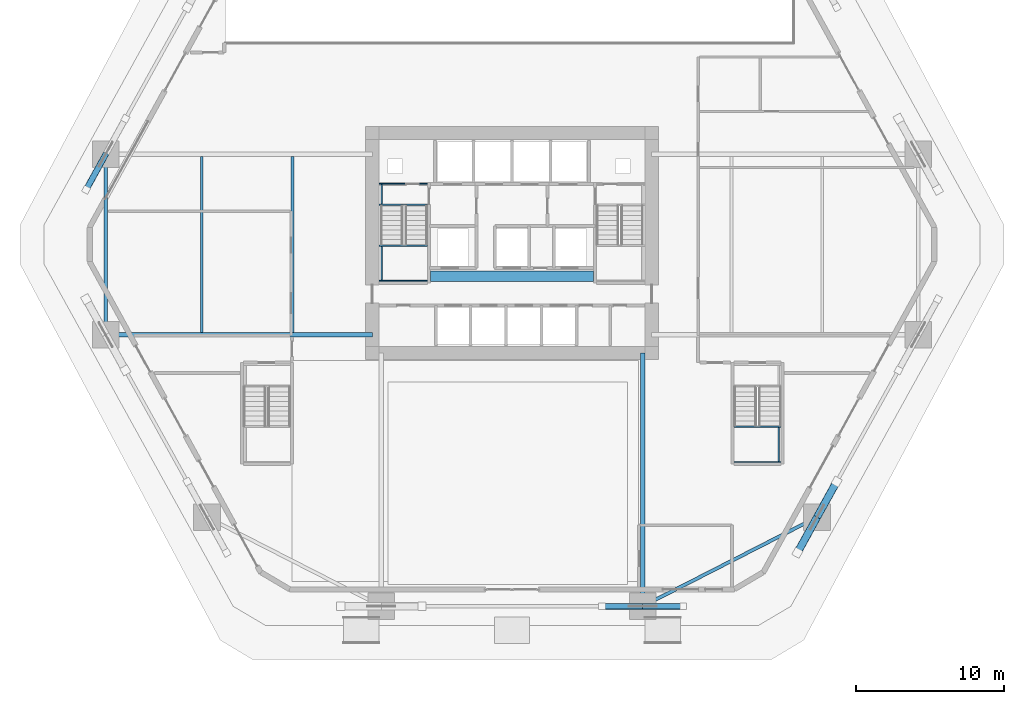
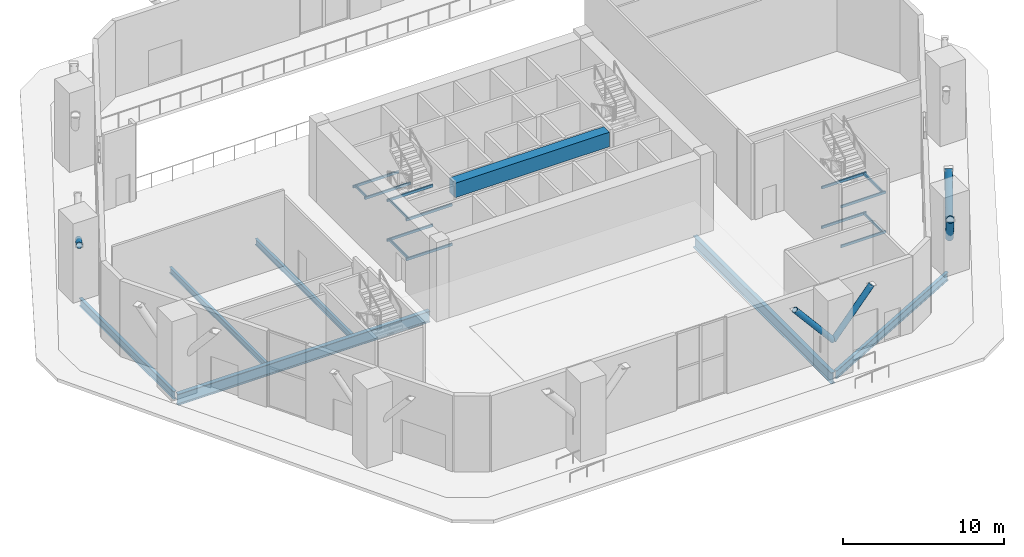
# One storey, part 6 of 22: 22 beams, 5 members.
"""IFC4 building model written with IfcOpenShell, lengths in metres."""

from ifc_helpers import new_model, si_unit, direction, frame, origin, origin_2d, place, context, subcontext, project, spatial, rectangle, hollow_rectangle, hollow_circle, i_section, extrude, material, material_profile, profile_set, type_object, element, save


model = new_model("IFC4")

# Units and contexts
model_context = context("Model", 3, precision=1e-05, world=origin(), true_north=direction((0.0, 1.0)))
body_context = subcontext(model_context, "Body", "Model", "MODEL_VIEW")
ifc_project = project(units=[si_unit("LENGTHUNIT", "METRE"), si_unit("AREAUNIT", "SQUARE_METRE"), si_unit("VOLUMEUNIT", "CUBIC_METRE"), si_unit("PLANEANGLEUNIT", "RADIAN"), si_unit("MASSUNIT", "GRAM", prefix="KILO")], contexts=[model_context])

# Site, building, storey
site_placement = place(None, origin())
site = spatial("IfcSite", under=ifc_project, at=site_placement, CompositionType="ELEMENT")
building_placement = place(site_placement, origin())
building = spatial("IfcBuilding", under=site, at=building_placement, Name="Cinnabar Lancet Tower", CompositionType="ELEMENT")
storey_placement = place(building_placement, origin())
storey = spatial("IfcBuildingStorey", under=building, at=storey_placement, Name="L00", CompositionType="ELEMENT", Elevation=0.0)

# Beams
ifc_material_1 = material(Name="Concrete C70/85", Category="concrete")
ifc_material_profile_1 = material_profile(ifc_material_1, rectangle(XDim=0.699951171875, YDim=1.10009765625, at=origin_2d()), Name="RC-CB 700x1100")
ifc_profile_set_1 = profile_set([ifc_material_profile_1], Name="Concrete C70/85")
beam_type_1 = type_object("IfcBeamType", Name="STR-BM-CB-1100", PredefinedType="BEAM", material=ifc_profile_set_1)
beam_1_placement = place(storey_placement, frame((26.8798828125, 23.64990234375, 5.199951171875), z_axis=(1.0, 0.0, 0.0), x_axis=(0.0, 1.0, 0.0)))
element("IfcBeam", 1, at=beam_1_placement, inside=storey, type_object=beam_type_1, Name="L00 Core Coupling Beam", PredefinedType="BEAM", context=body_context, shape_type="SweptSolid", body=[
    extrude(rectangle(XDim=0.699951171875, YDim=1.10009765625, at=origin_2d()), origin(), (0.0, 0.0, 1.0), 11.0400390625),
])
ifc_material_2 = material(Name="Structural steel S355", Category="steel")
ifc_material_profile_2 = material_profile(ifc_material_2, i_section(OverallWidth=0.1904296875, OverallDepth=0.45703125, WebThickness=0.009033203125, FlangeThickness=0.014404296875, FilletRadius=0.01025390625, at=origin_2d()), Name="UKB 457x191x74")
ifc_profile_set_2 = profile_set([ifc_material_profile_2], Name="Structural steel S355")
beam_type_2 = type_object("IfcBeamType", Name="STR-BM-JST-457", PredefinedType="JOIST", material=ifc_profile_set_2)
for number, where, z_axis, x_axis, name in (
    (2, (11.404052734375, 31.760986328125, -0.47900390625), (0.0, -1.0, 0.0), (1.0, 0.0, 0.0), "L00 Secondary Floor Joist 3"),
    (3, (17.5380859375, 31.760986328125, -0.47900390625), (0.0, -1.0, 0.0), (1.0, 0.0, 0.0), "L00 Secondary Floor Joist 4"),
):
    element("IfcBeam", number, at=place(storey_placement, frame(where, z_axis=z_axis, x_axis=x_axis)), inside=storey, type_object=beam_type_2, Name=name, PredefinedType="JOIST", context=body_context, shape_type="SweptSolid", body=[
        extrude(i_section(OverallWidth=0.1904296875, OverallDepth=0.45703125, WebThickness=0.009033203125, FlangeThickness=0.014404296875, FilletRadius=0.01025390625, at=origin_2d()), origin(), (0.0, 0.0, 1.0), 11.921875),
    ])
ifc_material_3 = material(Name="Structural steel S355", Category="steel")
ifc_material_profile_3 = material_profile(ifc_material_3, hollow_rectangle(XDim=0.10009765625, YDim=0.199951171875, WallThickness=0.008056640625, InnerFilletRadius=0.00390625, OuterFilletRadius=0.011962890625, at=origin_2d()), Name="RHS 200x100x8")
ifc_profile_set_3 = profile_set([ifc_material_profile_3], Name="Structural steel S355")
beam_type_3 = type_object("IfcBeamType", Name="STR-BM-LND-203", PredefinedType="BEAM", material=ifc_profile_set_3)
for number, where, z_axis, x_axis, name in (
    (4, (23.39990234375, 23.330078125, 1.199951171875), (1.0, 0.0, 0.0), (0.0, 1.0, 0.0), "L00 ST-1-L00 Landing Support Beam S"),
    (5, (23.39990234375, 25.719970703125, 1.199951171875), (1.0, 0.0, 0.0), (0.0, 1.0, 0.0), "L00 ST-1-L00 Landing Support Beam N"),
):
    element("IfcBeam", number, at=place(storey_placement, frame(where, z_axis=z_axis, x_axis=x_axis)), inside=storey, type_object=beam_type_3, Name=name, PredefinedType="BEAM", context=body_context, shape_type="SweptSolid", body=[
        extrude(hollow_rectangle(XDim=0.10009765625, YDim=0.199951171875, WallThickness=0.008056640625, InnerFilletRadius=0.00390625, OuterFilletRadius=0.011962890625, at=origin_2d()), origin(), (0.0, 0.0, 1.0), 3.280029296875),
    ])
beam_2_placement = place(storey_placement, frame((23.580078125, 23.3798828125, 1.199951171875), z_axis=(0.0, 1.0, 0.0), x_axis=(-1.0, 0.0, 0.0)))
element("IfcBeam", 6, at=beam_2_placement, inside=storey, type_object=beam_type_3, Name="L00 ST-1-L00 Landing Side Trimmer Beam", PredefinedType="BEAM", context=body_context, shape_type="SweptSolid", body=[
    extrude(hollow_rectangle(XDim=0.10009765625, YDim=0.199951171875, WallThickness=0.008056640625, InnerFilletRadius=0.00390625, OuterFilletRadius=0.011962890625, at=origin_2d()), origin(), (0.0, 0.0, 1.0), 2.2900390625),
])
for number, where, z_axis, x_axis, name in (
    (7, (23.39990234375, 28.47998046875, 2.699951171875), (1.0, 0.0, 0.0), (0.0, 1.0, 0.0), "L00 ST-1-L00 Landing Support Beam S"),
    (8, (23.39990234375, 29.919921875, 2.699951171875), (1.0, 0.0, 0.0), (0.0, 1.0, 0.0), "L00 ST-1-L00 Landing Support Beam N"),
):
    element("IfcBeam", number, at=place(storey_placement, frame(where, z_axis=z_axis, x_axis=x_axis)), inside=storey, type_object=beam_type_3, Name=name, PredefinedType="BEAM", context=body_context, shape_type="SweptSolid", body=[
        extrude(hollow_rectangle(XDim=0.10009765625, YDim=0.199951171875, WallThickness=0.008056640625, InnerFilletRadius=0.00390625, OuterFilletRadius=0.011962890625, at=origin_2d()), origin(), (0.0, 0.0, 1.0), 3.280029296875),
    ])
beam_3_placement = place(storey_placement, frame((23.580078125, 28.530029296875, 2.699951171875), z_axis=(0.0, 1.0, 0.0), x_axis=(-1.0, 0.0, 0.0)))
element("IfcBeam", 9, at=beam_3_placement, inside=storey, type_object=beam_type_3, Name="L00 ST-1-L00 Landing Side Trimmer Beam", PredefinedType="BEAM", context=body_context, shape_type="SweptSolid", body=[
    extrude(hollow_rectangle(XDim=0.10009765625, YDim=0.199951171875, WallThickness=0.008056640625, InnerFilletRadius=0.00390625, OuterFilletRadius=0.011962890625, at=origin_2d()), origin(), (0.0, 0.0, 1.0), 1.340087890625),
])
for number, where, z_axis, x_axis, name in (
    (10, (23.39990234375, 23.330078125, 4.199951171875), (1.0, 0.0, 0.0), (0.0, 1.0, 0.0), "L00 ST-1-L00 Landing Support Beam S"),
    (11, (23.39990234375, 25.719970703125, 4.199951171875), (1.0, 0.0, 0.0), (0.0, 1.0, 0.0), "L00 ST-1-L00 Landing Support Beam N"),
):
    element("IfcBeam", number, at=place(storey_placement, frame(where, z_axis=z_axis, x_axis=x_axis)), inside=storey, type_object=beam_type_3, Name=name, PredefinedType="BEAM", context=body_context, shape_type="SweptSolid", body=[
        extrude(hollow_rectangle(XDim=0.10009765625, YDim=0.199951171875, WallThickness=0.008056640625, InnerFilletRadius=0.00390625, OuterFilletRadius=0.011962890625, at=origin_2d()), origin(), (0.0, 0.0, 1.0), 3.280029296875),
    ])
beam_4_placement = place(storey_placement, frame((23.580078125, 23.3798828125, 4.199951171875), z_axis=(0.0, 1.0, 0.0), x_axis=(-1.0, 0.0, 0.0)))
element("IfcBeam", 12, at=beam_4_placement, inside=storey, type_object=beam_type_3, Name="L00 ST-1-L00 Landing Side Trimmer Beam", PredefinedType="BEAM", context=body_context, shape_type="SweptSolid", body=[
    extrude(hollow_rectangle(XDim=0.10009765625, YDim=0.199951171875, WallThickness=0.008056640625, InnerFilletRadius=0.00390625, OuterFilletRadius=0.011962890625, at=origin_2d()), origin(), (0.0, 0.0, 1.0), 2.2900390625),
])
for number, where, z_axis, x_axis, name in (
    (13, (47.419921875, 11.080078125, 1.199951171875), (1.0, 0.0, 0.0), (0.0, 1.0, 0.0), "L00 ST-4-L00 Landing Support Beam S"),
    (14, (47.419921875, 13.4560546875, 1.199951171875), (1.0, 0.0, 0.0), (0.0, 1.0, 0.0), "L00 ST-4-L00 Landing Support Beam N"),
):
    element("IfcBeam", number, at=place(storey_placement, frame(where, z_axis=z_axis, x_axis=x_axis)), inside=storey, type_object=beam_type_3, Name=name, PredefinedType="BEAM", context=body_context, shape_type="SweptSolid", body=[
        extrude(hollow_rectangle(XDim=0.10009765625, YDim=0.199951171875, WallThickness=0.008056640625, InnerFilletRadius=0.00390625, OuterFilletRadius=0.011962890625, at=origin_2d()), origin(), (0.0, 0.0, 1.0), 3.2001953125),
    ])
beam_5_placement = place(storey_placement, frame((50.4599609375, 11.1298828125, 1.199951171875), z_axis=(0.0, 1.0, 0.0), x_axis=(-1.0, 0.0, 0.0)))
element("IfcBeam", 15, at=beam_5_placement, inside=storey, type_object=beam_type_3, Name="L00 ST-4-L00 Landing Side Trimmer Beam", PredefinedType="BEAM", context=body_context, shape_type="SweptSolid", body=[
    extrude(hollow_rectangle(XDim=0.10009765625, YDim=0.199951171875, WallThickness=0.008056640625, InnerFilletRadius=0.00390625, OuterFilletRadius=0.011962890625, at=origin_2d()), origin(), (0.0, 0.0, 1.0), 2.276123046875),
])
for number, where, z_axis, x_axis, name in (
    (16, (47.419921875, 11.080078125, 4.199951171875), (1.0, 0.0, 0.0), (0.0, 1.0, 0.0), "L00 ST-4-L00 Landing Support Beam S"),
    (17, (47.419921875, 13.4560546875, 4.199951171875), (1.0, 0.0, 0.0), (0.0, 1.0, 0.0), "L00 ST-4-L00 Landing Support Beam N"),
):
    element("IfcBeam", number, at=place(storey_placement, frame(where, z_axis=z_axis, x_axis=x_axis)), inside=storey, type_object=beam_type_3, Name=name, PredefinedType="BEAM", context=body_context, shape_type="SweptSolid", body=[
        extrude(hollow_rectangle(XDim=0.10009765625, YDim=0.199951171875, WallThickness=0.008056640625, InnerFilletRadius=0.00390625, OuterFilletRadius=0.011962890625, at=origin_2d()), origin(), (0.0, 0.0, 1.0), 3.2001953125),
    ])
beam_6_placement = place(storey_placement, frame((50.4599609375, 11.1298828125, 4.199951171875), z_axis=(0.0, 1.0, 0.0), x_axis=(-1.0, 0.0, 0.0)))
element("IfcBeam", 18, at=beam_6_placement, inside=storey, type_object=beam_type_3, Name="L00 ST-4-L00 Landing Side Trimmer Beam", PredefinedType="BEAM", context=body_context, shape_type="SweptSolid", body=[
    extrude(hollow_rectangle(XDim=0.10009765625, YDim=0.199951171875, WallThickness=0.008056640625, InnerFilletRadius=0.00390625, OuterFilletRadius=0.011962890625, at=origin_2d()), origin(), (0.0, 0.0, 1.0), 2.276123046875),
])
ifc_material_4 = material(Name="Structural steel S355", Category="steel")
ifc_material_profile_4 = material_profile(ifc_material_4, i_section(OverallWidth=0.228271484375, OverallDepth=0.607666015625, WebThickness=0.010986328125, FlangeThickness=0.017333984375, FilletRadius=0.0126953125, at=origin_2d()), Name="UKB 610x229x113")
ifc_profile_set_4 = profile_set([ifc_material_profile_4], Name="Structural steel S355")
beam_type_4 = type_object("IfcBeamType", Name="STR-BM-SPN-610", PredefinedType="SPANDREL", material=ifc_profile_set_4)
beam_7_placement = place(storey_placement, frame((41.468017578125, 1.430908203125, -0.553955078125), z_axis=(0.890532798964, 0.454919041116, 0.0), x_axis=(-0.454919041116, 0.890532798964, 0.0)))
element("IfcBeam", 19, at=beam_7_placement, inside=storey, type_object=beam_type_4, Name="L00 Perimeter Spandrel 2", PredefinedType="SPANDREL", context=body_context, shape_type="SweptSolid", body=[
    extrude(i_section(OverallWidth=0.228271484375, OverallDepth=0.607666015625, WebThickness=0.010986328125, FlangeThickness=0.017333984375, FilletRadius=0.0126953125, at=origin_2d()), origin(), (0.0, 0.0, 1.0), 12.74755859375),
])
beam_8_placement = place(storey_placement, frame((4.908935546875, 31.657958984375, -0.553955078125), z_axis=(0.0, -1.0, 0.0), x_axis=(1.0, 0.0, 0.0)))
element("IfcBeam", 20, at=beam_8_placement, inside=storey, type_object=beam_type_4, Name="L00 Perimeter Spandrel 10", PredefinedType="SPANDREL", context=body_context, shape_type="SweptSolid", body=[
    extrude(i_section(OverallWidth=0.228271484375, OverallDepth=0.607666015625, WebThickness=0.010986328125, FlangeThickness=0.017333984375, FilletRadius=0.0126953125, at=origin_2d()), origin(), (0.0, 0.0, 1.0), 11.716064453125),
])
ifc_material_5 = material(Name="Structural steel S355", Category="steel")
ifc_material_profile_5 = material_profile(ifc_material_5, i_section(OverallWidth=0.293701171875, OverallDepth=0.850830078125, WebThickness=0.01611328125, FlangeThickness=0.02685546875, FilletRadius=0.017822265625, at=origin_2d()), Name="UKB 838x292x226")
ifc_profile_set_5 = profile_set([ifc_material_profile_5], Name="Structural steel S355")
beam_type_5 = type_object("IfcBeamType", Name="STR-BM-UKB838-226", PredefinedType="BEAM", material=ifc_profile_set_5)
beam_9_placement = place(storey_placement, frame((41.2451171875, 1.31689453125, -0.675048828125), z_axis=(0.0, 1.0, 0.0), x_axis=(-1.0, 0.0, 0.0)))
element("IfcBeam", 21, at=beam_9_placement, inside=storey, type_object=beam_type_5, Name="L00 Primary Floor Girder 2", PredefinedType="BEAM", context=body_context, shape_type="SweptSolid", body=[
    extrude(i_section(OverallWidth=0.293701171875, OverallDepth=0.850830078125, WebThickness=0.01611328125, FlangeThickness=0.02685546875, FilletRadius=0.017822265625, at=origin_2d()), origin(), (0.0, 0.0, 1.0), 17.133056640625),
])
beam_10_placement = place(storey_placement, frame((4.908935546875, 19.69189453125, -0.675048828125), z_axis=(1.0, 0.0, 0.0), x_axis=(0.0, 1.0, 0.0)))
element("IfcBeam", 22, at=beam_10_placement, inside=storey, type_object=beam_type_5, Name="L00 Primary Floor Girder 11", PredefinedType="BEAM", context=body_context, shape_type="SweptSolid", body=[
    extrude(i_section(OverallWidth=0.293701171875, OverallDepth=0.850830078125, WebThickness=0.01611328125, FlangeThickness=0.02685546875, FilletRadius=0.017822265625, at=origin_2d()), origin(), (0.0, 0.0, 1.0), 18.041015625),
])

# Members
ifc_material_6 = material(Name="Structural steel S460", Category="steel")
ifc_material_profile_6 = material_profile(ifc_material_6, hollow_circle(Radius=0.203125, WallThickness=0.02001953125, at=origin_2d()), Name="CHS 406.4x20")
ifc_profile_set_6 = profile_set([ifc_material_profile_6], Name="Structural steel S460")
member_type_1 = type_object("IfcMemberType", Name="STR-MEM-YPIL-406", PredefinedType="STRUT", material=ifc_profile_set_6)
for number, where, z_axis, x_axis, name in (
    (23, (41.2451171875, 1.31689453125, 2.199951171875), (-0.645942241466, 0.0, 0.763386285369), (0.0, -1.0, 0.0), "Y-Pilotis Inclined Branch Strut 2A"),
    (24, (41.2451171875, 1.31689453125, 2.199951171875), (0.645942241466, 0.0, 0.763386285369), (0.0, 1.0, 0.0), "Y-Pilotis Inclined Branch Strut 2B"),
):
    element("IfcMember", number, at=place(storey_placement, frame(where, z_axis=z_axis, x_axis=x_axis)), inside=storey, type_object=member_type_1, Name=name, PredefinedType="STRUT", context=body_context, shape_type="SweptSolid", body=[
        extrude(hollow_circle(Radius=0.203125, WallThickness=0.02001953125, at=origin_2d()), origin(), (0.0, 0.0, 1.0), 4.25732421875),
    ])
member_placement = place(storey_placement, frame((4.908935546875, 31.907958984375, 4.0), z_axis=(-0.42777007635, -0.774258340872, 0.466408386899), x_axis=(0.875293951247, -0.483591251896, 0.0)))
element("IfcMember", 25, at=member_placement, inside=storey, type_object=member_type_1, Name="Y-Pilotis Inclined Branch Strut 10B", PredefinedType="STRUT", context=body_context, shape_type="SweptSolid", body=[
    extrude(hollow_circle(Radius=0.203125, WallThickness=0.02001953125, at=origin_2d()), origin(), (0.0, 0.0, 1.0), 3.108642578125),
])
ifc_material_7 = material(Name="Structural steel S460", Category="steel")
ifc_material_profile_7 = material_profile(ifc_material_7, hollow_circle(Radius=0.25390625, WallThickness=0.02490234375, at=origin_2d()), Name="CHS 508x25")
ifc_profile_set_7 = profile_set([ifc_material_profile_7], Name="Structural steel S460")
member_type_2 = type_object("IfcMemberType", Name="STR-MEM-YPIL-508", PredefinedType="STRUT", material=ifc_profile_set_7)
for number, where, z_axis, x_axis, name in (
    (26, (53.04296875, 7.343994140625, 2.199951171875), (-0.312418023343, -0.5653688128, 0.763382659093), (0.875256370508, -0.483659266308, 0.0), "Y-Pilotis Inclined Branch Strut 3A"),
    (27, (53.04296875, 7.343994140625, 2.199951171875), (0.312418023343, 0.5653688128, 0.763382659093), (-0.875256370508, 0.483659266308, 0.0), "Y-Pilotis Inclined Branch Strut 3B"),
):
    element("IfcMember", number, at=place(storey_placement, frame(where, z_axis=z_axis, x_axis=x_axis)), inside=storey, type_object=member_type_2, Name=name, PredefinedType="STRUT", context=body_context, shape_type="SweptSolid", body=[
        extrude(hollow_circle(Radius=0.25390625, WallThickness=0.02490234375, at=origin_2d()), origin(), (0.0, 0.0, 1.0), 4.25732421875),
    ])

save(model, "model.ifc")
